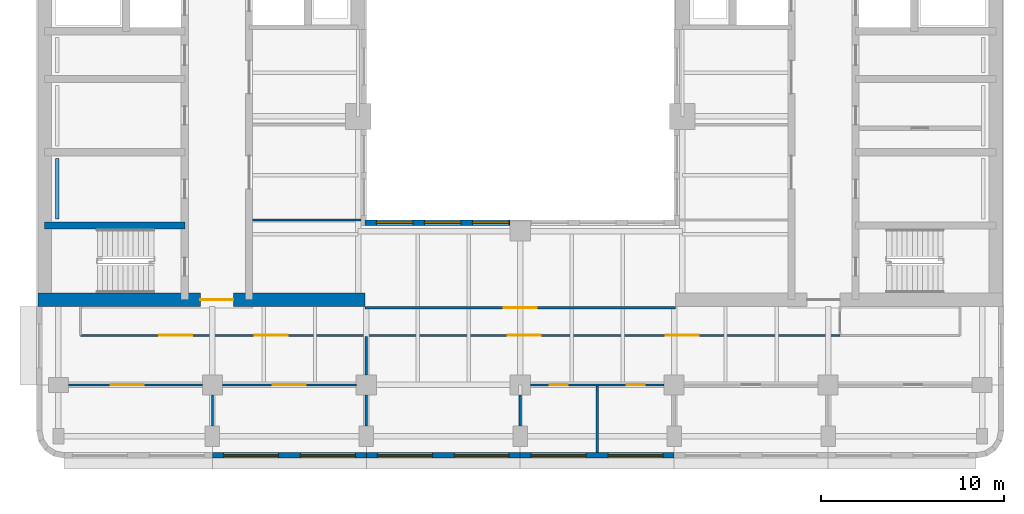
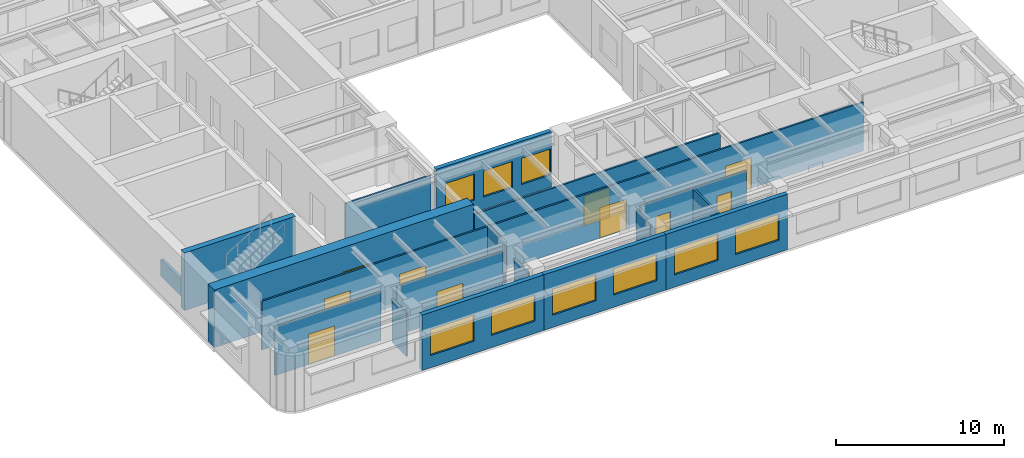
# One storey, part 3 of 11: 18 walls, 10 doors, 9 windows, 19 openings.
"""IFC4 building model written with IfcOpenShell, lengths in metres."""

from ifc_helpers import new_model, si_unit, direction, frame, frame_2d, origin, place, context, subcontext, project, spatial, rectangle, extrude, material, layer, layer_set, type_object, element, fill, save


model = new_model("IFC4")

# Units and contexts
model_context = context("Model", 3, precision=1e-05, world=origin(), true_north=direction((0.0, 1.0)))
body_context = subcontext(model_context, "Body", "Model", "MODEL_VIEW")
ifc_project = project(units=[si_unit("LENGTHUNIT", "METRE"), si_unit("AREAUNIT", "SQUARE_METRE"), si_unit("VOLUMEUNIT", "CUBIC_METRE"), si_unit("PLANEANGLEUNIT", "RADIAN"), si_unit("MASSUNIT", "GRAM", prefix="KILO")], contexts=[model_context])

# Site, building, storey
site_placement = place(None, origin())
site = spatial("IfcSite", under=ifc_project, at=site_placement, CompositionType="ELEMENT")
building_placement = place(site_placement, origin())
building = spatial("IfcBuilding", under=site, at=building_placement, Name="Claustro Exchange Tower", CompositionType="ELEMENT")
storey_placement = place(building_placement, frame((0.0, 0.0, 236.39990234375)))
storey = spatial("IfcBuildingStorey", under=building, at=storey_placement, Name="L54", CompositionType="ELEMENT", Elevation=236.39990234375)

# Wall
ifc_material_1 = material(Name="Laminated glass in aluminium frame", Category="aluminium")
ifc_layer_1 = layer(ifc_material_1, 0.1201171875)
ifc_layer_set_1 = layer_set([ifc_layer_1], Name="Laminated glass in aluminium frame")
wall_type_1 = type_object("IfcWallType", Name="P2 120 glazed partition", PredefinedType="PARTITIONING", material=ifc_layer_set_1)
wall_1_placement = place(storey_placement, frame((10.597900390625, 17.39990234375, 0.0), z_axis=(0.0, 0.0, 1.0), x_axis=(1.0, 0.0, 0.0)))
element("IfcWall", 1, at=wall_1_placement, inside=storey, type_object=wall_type_1, Name="Partition P2 L54", PredefinedType="PARTITIONING", context=body_context, shape_type="SweptSolid", body=[
    extrude(rectangle(XDim=5.904052734375, YDim=0.1201171875, at=frame_2d((2.9521484375, 0.0))), origin(), (0.0, 0.0, 1.0), 3.550048828125),
])

# Wall, opening, door
wall_2_placement = place(storey_placement, frame((0.549072265625, 8.39990234375, 0.0), z_axis=(0.0, 0.0, 1.0), x_axis=(1.0, 0.0, 0.0)))
wall_2 = element("IfcWall", 2, at=wall_2_placement, inside=storey, type_object=wall_type_1, Name="Partition P2 L54", PredefinedType="PARTITIONING", context=body_context, shape_type="SweptSolid", body=[
    extrude(rectangle(XDim=7.302001953125, YDim=0.1201171875, at=frame_2d((3.65087890625, 0.0))), origin(), (0.0, 0.0, 1.0), 3.550048828125),
])
opening_1_placement = place(wall_2_placement, frame((2.301025390625, 0.0, 0.0)))
opening_1 = element("IfcOpeningElement", 3, at=opening_1_placement, cuts=wall_2, Name="Opening D2", PredefinedType="OPENING", context=body_context, shape_type="SweptSolid", body=[
    extrude(rectangle(XDim=1.800048828125, YDim=2.199951171875, at=frame_2d((0.89990234375, 1.10009765625))), frame((0.0, 0.070068359375, 0.0), z_axis=(0.0, -1.0, 0.0), x_axis=(1.0, 0.0, 0.0)), (0.0, 0.0, 1.0), 0.14013671875),
])
ifc_material_2 = material(Name="Timber door, oak veneer", Category="wood")
door_type_1 = type_object("IfcDoorType", Name="D2 1800 x 2200 double door", OperationType="DOUBLE_DOOR_SINGLE_SWING", PredefinedType="DOOR", material=ifc_material_2)
door_1_placement = place(opening_1_placement, frame((1.800048828125, 0.0, 0.0), z_axis=(0.0, 0.0, 1.0), x_axis=(-1.0, 0.0, 0.0)))
door_1 = element("IfcDoor", 4, at=door_1_placement, inside=storey, type_object=door_type_1, Name="Double door D2 L54", OperationType="DOUBLE_DOOR_SINGLE_SWING", OverallHeight=2.199951171875, OverallWidth=1.800048828125, PredefinedType="DOOR", context=body_context, shape_type="SweptSolid", body=[
    extrude(rectangle(XDim=1.800048828125, YDim=2.199951171875, at=frame_2d((0.89990234375, 1.10009765625))), frame((0.0, 0.02490234375, 0.0), z_axis=(0.0, -1.0, 0.0), x_axis=(1.0, 0.0, 0.0)), (0.0, 0.0, 1.0), 0.050048828125),
])
fill(opening_1, door_1)

wall_3_placement = place(storey_placement, frame((8.948974609375, 8.39990234375, 0.0), z_axis=(0.0, 0.0, 1.0), x_axis=(1.0, 0.0, 0.0)))
wall_3 = element("IfcWall", 5, at=wall_3_placement, inside=storey, type_object=wall_type_1, Name="Partition P2 L54", PredefinedType="PARTITIONING", context=body_context, shape_type="SweptSolid", body=[
    extrude(rectangle(XDim=7.302001953125, YDim=0.1201171875, at=frame_2d((3.65087890625, 0.0))), origin(), (0.0, 0.0, 1.0), 3.550048828125),
])
opening_2_placement = place(wall_3_placement, frame((2.7509765625, 0.0, 0.0)))
opening_2 = element("IfcOpeningElement", 6, at=opening_2_placement, cuts=wall_3, Name="Opening D2", PredefinedType="OPENING", context=body_context, shape_type="SweptSolid", body=[
    extrude(rectangle(XDim=1.800048828125, YDim=2.199951171875, at=frame_2d((0.89990234375, 1.10009765625))), frame((0.0, 0.070068359375, 0.0), z_axis=(0.0, -1.0, 0.0), x_axis=(1.0, 0.0, 0.0)), (0.0, 0.0, 1.0), 0.14013671875),
])
door_2_placement = place(opening_2_placement, frame((1.800048828125, 0.0, 0.0), z_axis=(0.0, 0.0, 1.0), x_axis=(-1.0, 0.0, 0.0)))
door_2 = element("IfcDoor", 7, at=door_2_placement, inside=storey, type_object=door_type_1, Name="Double door D2 L54", OperationType="DOUBLE_DOOR_SINGLE_SWING", OverallHeight=2.199951171875, OverallWidth=1.800048828125, PredefinedType="DOOR", context=body_context, shape_type="SweptSolid", body=[
    extrude(rectangle(XDim=1.800048828125, YDim=2.199951171875, at=frame_2d((0.89990234375, 1.10009765625))), frame((0.0, 0.02490234375, 0.0), z_axis=(0.0, -1.0, 0.0), x_axis=(1.0, 0.0, 0.0)), (0.0, 0.0, 1.0), 0.050048828125),
])
fill(opening_2, door_2)

# Walls
for number, where, z_axis, x_axis, name in (
    (8, (8.39990234375, 6.14892578125, 0.0), (0.0, 0.0, 1.0), (0.0, 1.0, 0.0), "Partition P2 L54"),
    (9, (16.800048828125, 6.14892578125, 0.0), (0.0, 0.0, 1.0), (0.0, 1.0, 0.0), "Partition P2 L54"),
):
    element("IfcWall", number, at=place(storey_placement, frame(where, z_axis=z_axis, x_axis=x_axis)), inside=storey, type_object=wall_type_1, Name=name, PredefinedType="PARTITIONING", context=body_context, shape_type="SweptSolid", body=[
        extrude(rectangle(XDim=1.7021484375, YDim=0.1201171875, at=frame_2d((0.85107421875, 0.0))), origin(), (0.0, 0.0, 1.0), 3.150146484375),
    ])

# Wall, openings, doors
wall_4_placement = place(storey_placement, frame((25.7490234375, 8.39990234375, 0.0), z_axis=(0.0, 0.0, 1.0), x_axis=(1.0, 0.0, 0.0)))
wall_4 = element("IfcWall", 10, at=wall_4_placement, inside=storey, type_object=wall_type_1, Name="Partition P2 L54", PredefinedType="PARTITIONING", context=body_context, shape_type="SweptSolid", body=[
    extrude(rectangle(XDim=7.302001953125, YDim=0.1201171875, at=frame_2d((3.65087890625, 0.0))), origin(), (0.0, 0.0, 1.0), 3.550048828125),
])
opening_3_placement = place(wall_4_placement, frame((1.051025390625, 0.0, 0.0)))
opening_3 = element("IfcOpeningElement", 11, at=opening_3_placement, cuts=wall_4, Name="Opening D7", PredefinedType="OPENING", context=body_context, shape_type="SweptSolid", body=[
    extrude(rectangle(XDim=1.0, YDim=2.39990234375, at=frame_2d((0.5, 1.199951171875))), frame((0.0, 0.070068359375, 0.0), z_axis=(0.0, -1.0, 0.0), x_axis=(1.0, 0.0, 0.0)), (0.0, 0.0, 1.0), 0.14013671875),
])
opening_4_placement = place(wall_4_placement, frame((5.2509765625, 0.0, 0.0)))
opening_4 = element("IfcOpeningElement", 12, at=opening_4_placement, cuts=wall_4, Name="Opening D7", PredefinedType="OPENING", context=body_context, shape_type="SweptSolid", body=[
    extrude(rectangle(XDim=1.0, YDim=2.39990234375, at=frame_2d((0.5, 1.199951171875))), frame((0.0, 0.070068359375, 0.0), z_axis=(0.0, -1.0, 0.0), x_axis=(1.0, 0.0, 0.0)), (0.0, 0.0, 1.0), 0.14013671875),
])
ifc_material_3 = material(Name="Glass door in aluminium frame", Category="aluminium")
door_type_2 = type_object("IfcDoorType", Name="D7 1000 x 2400 glazed door", OperationType="SINGLE_SWING_LEFT", PredefinedType="DOOR", material=ifc_material_3)
door_3_placement = place(opening_3_placement, frame((1.0, 0.0, 0.0), z_axis=(0.0, 0.0, 1.0), x_axis=(-1.0, 0.0, 0.0)))
door_3 = element("IfcDoor", 13, at=door_3_placement, inside=storey, type_object=door_type_2, Name="Door D7 L54", OperationType="SINGLE_SWING_RIGHT", OverallHeight=2.39990234375, OverallWidth=1.0, PredefinedType="DOOR", context=body_context, shape_type="SweptSolid", body=[
    extrude(rectangle(XDim=1.0, YDim=2.39990234375, at=frame_2d((0.5, 1.199951171875))), frame((0.0, 0.02490234375, 0.0), z_axis=(0.0, -1.0, 0.0), x_axis=(1.0, 0.0, 0.0)), (0.0, 0.0, 1.0), 0.050048828125),
])
fill(opening_3, door_3)
door_4_placement = place(opening_4_placement, frame((1.0, 0.0, 0.0), z_axis=(0.0, 0.0, 1.0), x_axis=(-1.0, 0.0, 0.0)))
door_4 = element("IfcDoor", 14, at=door_4_placement, inside=storey, type_object=door_type_2, Name="Door D7 L54", OperationType="SINGLE_SWING_RIGHT", OverallHeight=2.39990234375, OverallWidth=1.0, PredefinedType="DOOR", context=body_context, shape_type="SweptSolid", body=[
    extrude(rectangle(XDim=1.0, YDim=2.39990234375, at=frame_2d((0.5, 1.199951171875))), frame((0.0, 0.02490234375, 0.0), z_axis=(0.0, -1.0, 0.0), x_axis=(1.0, 0.0, 0.0)), (0.0, 0.0, 1.0), 0.050048828125),
])
fill(opening_4, door_4)

# Walls
wall_5_placement = place(storey_placement, frame((25.199951171875, 6.14892578125, 0.0), z_axis=(0.0, 0.0, 1.0), x_axis=(0.0, 1.0, 0.0)))
element("IfcWall", 15, at=wall_5_placement, inside=storey, type_object=wall_type_1, Name="Partition P2 L54", PredefinedType="PARTITIONING", context=body_context, shape_type="SweptSolid", body=[
    extrude(rectangle(XDim=1.7021484375, YDim=0.1201171875, at=frame_2d((0.85107421875, 0.0))), origin(), (0.0, 0.0, 1.0), 3.690185546875),
])
wall_6_placement = place(storey_placement, frame((29.39990234375, 4.699951171875, 0.0), z_axis=(0.0, 0.0, 1.0), x_axis=(0.0, 1.0, 0.0)))
element("IfcWall", 16, at=wall_6_placement, inside=storey, type_object=wall_type_1, Name="Partition P2 L54", PredefinedType="PARTITIONING", context=body_context, shape_type="SweptSolid", body=[
    extrude(rectangle(XDim=3.64208984375, YDim=0.1201171875, at=frame_2d((1.821044921875, 0.0))), origin(), (0.0, 0.0, 1.0), 3.550048828125),
])
wall_7_placement = place(storey_placement, frame((16.800048828125, 8.948974609375, 0.0), z_axis=(0.0, 0.0, 1.0), x_axis=(0.0, 1.0, 0.0)))
element("IfcWall", 17, at=wall_7_placement, inside=storey, type_object=wall_type_1, Name="Partition P2 L54", PredefinedType="PARTITIONING", context=body_context, shape_type="SweptSolid", body=[
    extrude(rectangle(XDim=2.093017578125, YDim=0.1201171875, at=frame_2d((1.04638671875, 0.0))), origin(), (0.0, 0.0, 1.0), 3.690185546875),
])

# Wall, openings, doors
wall_8_placement = place(storey_placement, frame((1.199951171875, 11.10009765625, 0.0), z_axis=(0.0, 0.0, 1.0), x_axis=(1.0, 0.0, 0.0)))
wall_8 = element("IfcWall", 18, at=wall_8_placement, inside=storey, type_object=wall_type_1, Name="Partition P2 L54", PredefinedType="PARTITIONING", context=body_context, shape_type="SweptSolid", body=[
    extrude(rectangle(XDim=41.4521484375, YDim=0.1201171875, at=frame_2d((20.72607421875, 0.0))), origin(), (0.0, 0.0, 1.0), 3.550048828125),
])
opening_5_placement = place(wall_8_placement, frame((4.300048828125, 0.0, 0.0)))
opening_5 = element("IfcOpeningElement", 19, at=opening_5_placement, cuts=wall_8, Name="Opening D2", PredefinedType="OPENING", context=body_context, shape_type="SweptSolid", body=[
    extrude(rectangle(XDim=1.800048828125, YDim=2.199951171875, at=frame_2d((0.89990234375, 1.10009765625))), frame((0.0, 0.070068359375, 0.0), z_axis=(0.0, -1.0, 0.0), x_axis=(1.0, 0.0, 0.0)), (0.0, 0.0, 1.0), 0.14013671875),
])
opening_6_placement = place(wall_8_placement, frame((9.5, 0.0, 0.0)))
opening_6 = element("IfcOpeningElement", 20, at=opening_6_placement, cuts=wall_8, Name="Opening D2", PredefinedType="OPENING", context=body_context, shape_type="SweptSolid", body=[
    extrude(rectangle(XDim=1.800048828125, YDim=2.199951171875, at=frame_2d((0.89990234375, 1.10009765625))), frame((0.0, 0.070068359375, 0.0), z_axis=(0.0, -1.0, 0.0), x_axis=(1.0, 0.0, 0.0)), (0.0, 0.0, 1.0), 0.14013671875),
])
opening_7_placement = place(wall_8_placement, frame((23.316650390625, 0.0, 0.0)))
opening_7 = element("IfcOpeningElement", 21, at=opening_7_placement, cuts=wall_8, Name="Opening D2", PredefinedType="OPENING", context=body_context, shape_type="SweptSolid", body=[
    extrude(rectangle(XDim=1.800048828125, YDim=2.199951171875, at=frame_2d((0.89990234375, 1.10009765625))), frame((0.0, 0.070068359375, 0.0), z_axis=(0.0, -1.0, 0.0), x_axis=(1.0, 0.0, 0.0)), (0.0, 0.0, 1.0), 0.14013671875),
])
opening_8_placement = place(wall_8_placement, frame((31.933349609375, 0.0, 0.0)))
opening_8 = element("IfcOpeningElement", 22, at=opening_8_placement, cuts=wall_8, Name="Opening D2", PredefinedType="OPENING", context=body_context, shape_type="SweptSolid", body=[
    extrude(rectangle(XDim=1.800048828125, YDim=2.199951171875, at=frame_2d((0.89990234375, 1.10009765625))), frame((0.0, 0.070068359375, 0.0), z_axis=(0.0, -1.0, 0.0), x_axis=(1.0, 0.0, 0.0)), (0.0, 0.0, 1.0), 0.14013671875),
])
door_5_placement = place(opening_5_placement, frame((1.800048828125, 0.0, 0.0), z_axis=(0.0, 0.0, 1.0), x_axis=(-1.0, 0.0, 0.0)))
door_5 = element("IfcDoor", 23, at=door_5_placement, inside=storey, type_object=door_type_1, Name="Double door D2 L54", OperationType="DOUBLE_DOOR_SINGLE_SWING", OverallHeight=2.199951171875, OverallWidth=1.800048828125, PredefinedType="DOOR", context=body_context, shape_type="SweptSolid", body=[
    extrude(rectangle(XDim=1.800048828125, YDim=2.199951171875, at=frame_2d((0.89990234375, 1.10009765625))), frame((0.0, 0.02490234375, 0.0), z_axis=(0.0, -1.0, 0.0), x_axis=(1.0, 0.0, 0.0)), (0.0, 0.0, 1.0), 0.050048828125),
])
fill(opening_5, door_5)
door_6_placement = place(opening_6_placement, frame((1.800048828125, 0.0, 0.0), z_axis=(0.0, 0.0, 1.0), x_axis=(-1.0, 0.0, 0.0)))
door_6 = element("IfcDoor", 24, at=door_6_placement, inside=storey, type_object=door_type_1, Name="Double door D2 L54", OperationType="DOUBLE_DOOR_SINGLE_SWING", OverallHeight=2.199951171875, OverallWidth=1.800048828125, PredefinedType="DOOR", context=body_context, shape_type="SweptSolid", body=[
    extrude(rectangle(XDim=1.800048828125, YDim=2.199951171875, at=frame_2d((0.89990234375, 1.10009765625))), frame((0.0, 0.02490234375, 0.0), z_axis=(0.0, -1.0, 0.0), x_axis=(1.0, 0.0, 0.0)), (0.0, 0.0, 1.0), 0.050048828125),
])
fill(opening_6, door_6)
door_7_placement = place(opening_7_placement, frame((1.800048828125, 0.0, 0.0), z_axis=(0.0, 0.0, 1.0), x_axis=(-1.0, 0.0, 0.0)))
door_7 = element("IfcDoor", 25, at=door_7_placement, inside=storey, type_object=door_type_1, Name="Double door D2 L54", OperationType="DOUBLE_DOOR_SINGLE_SWING", OverallHeight=2.199951171875, OverallWidth=1.800048828125, PredefinedType="DOOR", context=body_context, shape_type="SweptSolid", body=[
    extrude(rectangle(XDim=1.800048828125, YDim=2.199951171875, at=frame_2d((0.89990234375, 1.10009765625))), frame((0.0, 0.02490234375, 0.0), z_axis=(0.0, -1.0, 0.0), x_axis=(1.0, 0.0, 0.0)), (0.0, 0.0, 1.0), 0.050048828125),
])
fill(opening_7, door_7)
door_8_placement = place(opening_8_placement, frame((1.800048828125, 0.0, 0.0), z_axis=(0.0, 0.0, 1.0), x_axis=(-1.0, 0.0, 0.0)))
door_8 = element("IfcDoor", 26, at=door_8_placement, inside=storey, type_object=door_type_1, Name="Double door D2 L54", OperationType="DOUBLE_DOOR_SINGLE_SWING", OverallHeight=2.199951171875, OverallWidth=1.800048828125, PredefinedType="DOOR", context=body_context, shape_type="SweptSolid", body=[
    extrude(rectangle(XDim=1.800048828125, YDim=2.199951171875, at=frame_2d((0.89990234375, 1.10009765625))), frame((0.0, 0.02490234375, 0.0), z_axis=(0.0, -1.0, 0.0), x_axis=(1.0, 0.0, 0.0)), (0.0, 0.0, 1.0), 0.050048828125),
])
fill(opening_8, door_8)

# Wall, opening, door
wall_9_placement = place(storey_placement, frame((16.72509765625, 12.614990234375, 0.0), z_axis=(0.0, 0.0, 1.0), x_axis=(1.0, 0.0, 0.0)))
wall_9 = element("IfcWall", 27, at=wall_9_placement, inside=storey, type_object=wall_type_1, Name="Partition P2 L54", PredefinedType="PARTITIONING", context=body_context, shape_type="SweptSolid", body=[
    extrude(rectangle(XDim=16.949951171875, YDim=0.1201171875, at=frame_2d((8.47509765625, 0.0))), origin(), (0.0, 0.0, 1.0), 3.550048828125),
])
opening_9_placement = place(wall_9_placement, frame((7.574951171875, 0.0, 0.0)))
opening_9 = element("IfcOpeningElement", 28, at=opening_9_placement, cuts=wall_9, Name="Opening D2", PredefinedType="OPENING", context=body_context, shape_type="SweptSolid", body=[
    extrude(rectangle(XDim=1.800048828125, YDim=2.199951171875, at=frame_2d((0.89990234375, 1.10009765625))), frame((0.0, 0.070068359375, 0.0), z_axis=(0.0, -1.0, 0.0), x_axis=(1.0, 0.0, 0.0)), (0.0, 0.0, 1.0), 0.14013671875),
])
door_9_placement = place(opening_9_placement, origin())
door_9 = element("IfcDoor", 29, at=door_9_placement, inside=storey, type_object=door_type_1, Name="Double door D2 L54", OperationType="DOUBLE_DOOR_SINGLE_SWING", OverallHeight=2.199951171875, OverallWidth=1.800048828125, PredefinedType="DOOR", context=body_context, shape_type="SweptSolid", body=[
    extrude(rectangle(XDim=1.800048828125, YDim=2.199951171875, at=frame_2d((0.89990234375, 1.10009765625))), frame((0.0, 0.02490234375, 0.0), z_axis=(0.0, -1.0, 0.0), x_axis=(1.0, 0.0, 0.0)), (0.0, 0.0, 1.0), 0.050048828125),
])
fill(opening_9, door_9)

# Wall, openings, windows
ifc_material_4 = material(Name="Concrete HA-40 (C40/50), precast, white cement, acid-etched", Category="concrete")
ifc_layer_2 = layer(ifc_material_4, 0.300048828125)
ifc_layer_set_2 = layer_set([ifc_layer_2], Name="Concrete HA-40 (C40/50), precast, white cement, acid-etched")
wall_type_2 = type_object("IfcWallType", Name="PC1 300 precast concrete pier panel", PredefinedType="SOLIDWALL", material=ifc_layer_set_2)
wall_10_placement = place(storey_placement, frame((33.60009765625, 4.550048828125, 0.0), z_axis=(0.0, 0.0, 1.0), x_axis=(-1.0, 0.0, 0.0)))
wall_10 = element("IfcWall", 30, at=wall_10_placement, inside=storey, type_object=wall_type_2, Name="Precast pier panel PC1 L54", PredefinedType="SOLIDWALL", context=body_context, shape_type="SweptSolid", body=[
    extrude(rectangle(XDim=8.400146484375, YDim=0.300048828125, at=frame_2d((4.2001953125, 0.0))), origin(), (0.0, 0.0, 1.0), 4.050048828125),
])
opening_10_placement = place(wall_10_placement, frame((0.60009765625, 0.0, 0.89990234375)))
opening_10 = element("IfcOpeningElement", 31, at=opening_10_placement, cuts=wall_10, Name="Opening W1", PredefinedType="OPENING", context=body_context, shape_type="SweptSolid", body=[
    extrude(rectangle(XDim=3.0, YDim=1.89990234375, at=frame_2d((1.5, 0.949951171875))), frame((0.0, 0.159912109375, 0.0), z_axis=(0.0, -1.0, 0.0), x_axis=(1.0, 0.0, 0.0)), (0.0, 0.0, 1.0), 0.320068359375),
])
opening_11_placement = place(wall_10_placement, frame((4.800048828125, 0.0, 0.89990234375)))
opening_11 = element("IfcOpeningElement", 32, at=opening_11_placement, cuts=wall_10, Name="Opening W1", PredefinedType="OPENING", context=body_context, shape_type="SweptSolid", body=[
    extrude(rectangle(XDim=3.0, YDim=1.89990234375, at=frame_2d((1.5, 0.949951171875))), frame((0.0, 0.159912109375, 0.0), z_axis=(0.0, -1.0, 0.0), x_axis=(1.0, 0.0, 0.0)), (0.0, 0.0, 1.0), 0.320068359375),
])
ifc_material_5 = material(Name="Aluminium frame, clear double glazing", Category="aluminium")
window_type_1 = type_object("IfcWindowType", Name="W1 3000 x 1900 window", PartitioningType="SINGLE_PANEL", PredefinedType="WINDOW", material=ifc_material_5)
window_1_placement = place(opening_10_placement, origin())
window_1 = element("IfcWindow", 33, at=window_1_placement, inside=storey, type_object=window_type_1, Name="Window W1 L54", OverallHeight=1.89990234375, OverallWidth=3.0, PartitioningType="SINGLE_PANEL", PredefinedType="WINDOW", context=body_context, shape_type="SweptSolid", body=[
    extrude(rectangle(XDim=3.0, YDim=1.89990234375, at=frame_2d((1.5, 0.949951171875))), frame((0.0, 0.030029296875, 0.0), z_axis=(0.0, -1.0, 0.0), x_axis=(1.0, 0.0, 0.0)), (0.0, 0.0, 1.0), 0.06005859375),
])
fill(opening_10, window_1)
window_2_placement = place(opening_11_placement, origin())
window_2 = element("IfcWindow", 34, at=window_2_placement, inside=storey, type_object=window_type_1, Name="Window W1 L54", OverallHeight=1.89990234375, OverallWidth=3.0, PartitioningType="SINGLE_PANEL", PredefinedType="WINDOW", context=body_context, shape_type="SweptSolid", body=[
    extrude(rectangle(XDim=3.0, YDim=1.89990234375, at=frame_2d((1.5, 0.949951171875))), frame((0.0, 0.030029296875, 0.0), z_axis=(0.0, -1.0, 0.0), x_axis=(1.0, 0.0, 0.0)), (0.0, 0.0, 1.0), 0.06005859375),
])
fill(opening_11, window_2)

wall_11_placement = place(storey_placement, frame((25.199951171875, 4.550048828125, 0.0), z_axis=(0.0, 0.0, 1.0), x_axis=(-1.0, 0.0, 0.0)))
wall_11 = element("IfcWall", 35, at=wall_11_placement, inside=storey, type_object=wall_type_2, Name="Precast pier panel PC1 L54", PredefinedType="SOLIDWALL", context=body_context, shape_type="SweptSolid", body=[
    extrude(rectangle(XDim=8.39990234375, YDim=0.300048828125, at=frame_2d((4.199951171875, 0.0))), origin(), (0.0, 0.0, 1.0), 4.050048828125),
])
opening_12_placement = place(wall_11_placement, frame((0.60009765625, 0.0, 0.89990234375)))
opening_12 = element("IfcOpeningElement", 36, at=opening_12_placement, cuts=wall_11, Name="Opening W1", PredefinedType="OPENING", context=body_context, shape_type="SweptSolid", body=[
    extrude(rectangle(XDim=3.0, YDim=1.89990234375, at=frame_2d((1.5, 0.949951171875))), frame((0.0, 0.159912109375, 0.0), z_axis=(0.0, -1.0, 0.0), x_axis=(1.0, 0.0, 0.0)), (0.0, 0.0, 1.0), 0.320068359375),
])
opening_13_placement = place(wall_11_placement, frame((4.800048828125, 0.0, 0.89990234375)))
opening_13 = element("IfcOpeningElement", 37, at=opening_13_placement, cuts=wall_11, Name="Opening W1", PredefinedType="OPENING", context=body_context, shape_type="SweptSolid", body=[
    extrude(rectangle(XDim=3.0, YDim=1.89990234375, at=frame_2d((1.5, 0.949951171875))), frame((0.0, 0.159912109375, 0.0), z_axis=(0.0, -1.0, 0.0), x_axis=(1.0, 0.0, 0.0)), (0.0, 0.0, 1.0), 0.320068359375),
])
window_3_placement = place(opening_12_placement, origin())
window_3 = element("IfcWindow", 38, at=window_3_placement, inside=storey, type_object=window_type_1, Name="Window W1 L54", OverallHeight=1.89990234375, OverallWidth=3.0, PartitioningType="SINGLE_PANEL", PredefinedType="WINDOW", context=body_context, shape_type="SweptSolid", body=[
    extrude(rectangle(XDim=3.0, YDim=1.89990234375, at=frame_2d((1.5, 0.949951171875))), frame((0.0, 0.030029296875, 0.0), z_axis=(0.0, -1.0, 0.0), x_axis=(1.0, 0.0, 0.0)), (0.0, 0.0, 1.0), 0.06005859375),
])
fill(opening_12, window_3)
window_4_placement = place(opening_13_placement, origin())
window_4 = element("IfcWindow", 39, at=window_4_placement, inside=storey, type_object=window_type_1, Name="Window W1 L54", OverallHeight=1.89990234375, OverallWidth=3.0, PartitioningType="SINGLE_PANEL", PredefinedType="WINDOW", context=body_context, shape_type="SweptSolid", body=[
    extrude(rectangle(XDim=3.0, YDim=1.89990234375, at=frame_2d((1.5, 0.949951171875))), frame((0.0, 0.030029296875, 0.0), z_axis=(0.0, -1.0, 0.0), x_axis=(1.0, 0.0, 0.0)), (0.0, 0.0, 1.0), 0.06005859375),
])
fill(opening_13, window_4)

wall_12_placement = place(storey_placement, frame((16.800048828125, 4.550048828125, 0.0), z_axis=(0.0, 0.0, 1.0), x_axis=(-1.0, 0.0, 0.0)))
wall_12 = element("IfcWall", 40, at=wall_12_placement, inside=storey, type_object=wall_type_2, Name="Precast pier panel PC1 L54", PredefinedType="SOLIDWALL", context=body_context, shape_type="SweptSolid", body=[
    extrude(rectangle(XDim=8.400146484375, YDim=0.300048828125, at=frame_2d((4.2001953125, 0.0))), origin(), (0.0, 0.0, 1.0), 4.050048828125),
])
opening_14_placement = place(wall_12_placement, frame((0.60009765625, 0.0, 0.89990234375)))
opening_14 = element("IfcOpeningElement", 41, at=opening_14_placement, cuts=wall_12, Name="Opening W1", PredefinedType="OPENING", context=body_context, shape_type="SweptSolid", body=[
    extrude(rectangle(XDim=3.0, YDim=1.89990234375, at=frame_2d((1.5, 0.949951171875))), frame((0.0, 0.159912109375, 0.0), z_axis=(0.0, -1.0, 0.0), x_axis=(1.0, 0.0, 0.0)), (0.0, 0.0, 1.0), 0.320068359375),
])
opening_15_placement = place(wall_12_placement, frame((4.800048828125, 0.0, 0.89990234375)))
opening_15 = element("IfcOpeningElement", 42, at=opening_15_placement, cuts=wall_12, Name="Opening W1", PredefinedType="OPENING", context=body_context, shape_type="SweptSolid", body=[
    extrude(rectangle(XDim=3.0, YDim=1.89990234375, at=frame_2d((1.5, 0.949951171875))), frame((0.0, 0.159912109375, 0.0), z_axis=(0.0, -1.0, 0.0), x_axis=(1.0, 0.0, 0.0)), (0.0, 0.0, 1.0), 0.320068359375),
])
window_5_placement = place(opening_14_placement, origin())
window_5 = element("IfcWindow", 43, at=window_5_placement, inside=storey, type_object=window_type_1, Name="Window W1 L54", OverallHeight=1.89990234375, OverallWidth=3.0, PartitioningType="SINGLE_PANEL", PredefinedType="WINDOW", context=body_context, shape_type="SweptSolid", body=[
    extrude(rectangle(XDim=3.0, YDim=1.89990234375, at=frame_2d((1.5, 0.949951171875))), frame((0.0, 0.030029296875, 0.0), z_axis=(0.0, -1.0, 0.0), x_axis=(1.0, 0.0, 0.0)), (0.0, 0.0, 1.0), 0.06005859375),
])
fill(opening_14, window_5)
window_6_placement = place(opening_15_placement, origin())
window_6 = element("IfcWindow", 44, at=window_6_placement, inside=storey, type_object=window_type_1, Name="Window W1 L54", OverallHeight=1.89990234375, OverallWidth=3.0, PartitioningType="SINGLE_PANEL", PredefinedType="WINDOW", context=body_context, shape_type="SweptSolid", body=[
    extrude(rectangle(XDim=3.0, YDim=1.89990234375, at=frame_2d((1.5, 0.949951171875))), frame((0.0, 0.030029296875, 0.0), z_axis=(0.0, -1.0, 0.0), x_axis=(1.0, 0.0, 0.0)), (0.0, 0.0, 1.0), 0.06005859375),
])
fill(opening_15, window_6)

wall_13_placement = place(storey_placement, frame((16.72509765625, 17.25, 0.0), z_axis=(0.0, 0.0, 1.0), x_axis=(1.0, 0.0, 0.0)))
wall_13 = element("IfcWall", 45, at=wall_13_placement, inside=storey, type_object=wall_type_2, Name="Precast pier panel PC1 L54", PredefinedType="SOLIDWALL", context=body_context, shape_type="SweptSolid", body=[
    extrude(rectangle(XDim=7.9248046875, YDim=0.300048828125, at=frame_2d((3.96240234375, 0.0))), origin(), (0.0, 0.0, 1.0), 4.050048828125),
])
opening_16_placement = place(wall_13_placement, frame((0.61865234375, 0.0, 0.89990234375)))
opening_16 = element("IfcOpeningElement", 46, at=opening_16_placement, cuts=wall_13, Name="Opening W4", PredefinedType="OPENING", context=body_context, shape_type="SweptSolid", body=[
    extrude(rectangle(XDim=2.0, YDim=1.89990234375, at=frame_2d((1.0, 0.949951171875))), frame((0.0, 0.159912109375, 0.0), z_axis=(0.0, -1.0, 0.0), x_axis=(1.0, 0.0, 0.0)), (0.0, 0.0, 1.0), 0.320068359375),
])
opening_17_placement = place(wall_13_placement, frame((3.237548828125, 0.0, 0.89990234375)))
opening_17 = element("IfcOpeningElement", 47, at=opening_17_placement, cuts=wall_13, Name="Opening W4", PredefinedType="OPENING", context=body_context, shape_type="SweptSolid", body=[
    extrude(rectangle(XDim=2.0, YDim=1.89990234375, at=frame_2d((1.0, 0.949951171875))), frame((0.0, 0.159912109375, 0.0), z_axis=(0.0, -1.0, 0.0), x_axis=(1.0, 0.0, 0.0)), (0.0, 0.0, 1.0), 0.320068359375),
])
opening_18_placement = place(wall_13_placement, frame((5.856201171875, 0.0, 0.89990234375)))
opening_18 = element("IfcOpeningElement", 48, at=opening_18_placement, cuts=wall_13, Name="Opening W4", PredefinedType="OPENING", context=body_context, shape_type="SweptSolid", body=[
    extrude(rectangle(XDim=2.0, YDim=1.89990234375, at=frame_2d((1.0, 0.949951171875))), frame((0.0, 0.159912109375, 0.0), z_axis=(0.0, -1.0, 0.0), x_axis=(1.0, 0.0, 0.0)), (0.0, 0.0, 1.0), 0.320068359375),
])
ifc_material_6 = material(Name="Aluminium frame, clear double glazing", Category="aluminium")
window_type_2 = type_object("IfcWindowType", Name="W4 2000 x 1900 light well window", PartitioningType="SINGLE_PANEL", PredefinedType="WINDOW", material=ifc_material_6)
window_7_placement = place(opening_16_placement, origin())
window_7 = element("IfcWindow", 49, at=window_7_placement, inside=storey, type_object=window_type_2, Name="Window W4 L54", OverallHeight=1.89990234375, OverallWidth=2.0, PartitioningType="SINGLE_PANEL", PredefinedType="WINDOW", context=body_context, shape_type="SweptSolid", body=[
    extrude(rectangle(XDim=2.0, YDim=1.89990234375, at=frame_2d((1.0, 0.949951171875))), frame((0.0, 0.030029296875, 0.0), z_axis=(0.0, -1.0, 0.0), x_axis=(1.0, 0.0, 0.0)), (0.0, 0.0, 1.0), 0.06005859375),
])
fill(opening_16, window_7)
window_8_placement = place(opening_17_placement, origin())
window_8 = element("IfcWindow", 50, at=window_8_placement, inside=storey, type_object=window_type_2, Name="Window W4 L54", OverallHeight=1.89990234375, OverallWidth=2.0, PartitioningType="SINGLE_PANEL", PredefinedType="WINDOW", context=body_context, shape_type="SweptSolid", body=[
    extrude(rectangle(XDim=2.0, YDim=1.89990234375, at=frame_2d((1.0, 0.949951171875))), frame((0.0, 0.030029296875, 0.0), z_axis=(0.0, -1.0, 0.0), x_axis=(1.0, 0.0, 0.0)), (0.0, 0.0, 1.0), 0.06005859375),
])
fill(opening_17, window_8)
window_9_placement = place(opening_18_placement, origin())
window_9 = element("IfcWindow", 51, at=window_9_placement, inside=storey, type_object=window_type_2, Name="Window W4 L54", OverallHeight=1.89990234375, OverallWidth=2.0, PartitioningType="SINGLE_PANEL", PredefinedType="WINDOW", context=body_context, shape_type="SweptSolid", body=[
    extrude(rectangle(XDim=2.0, YDim=1.89990234375, at=frame_2d((1.0, 0.949951171875))), frame((0.0, 0.030029296875, 0.0), z_axis=(0.0, -1.0, 0.0), x_axis=(1.0, 0.0, 0.0)), (0.0, 0.0, 1.0), 0.06005859375),
])
fill(opening_18, window_9)

# Wall
ifc_material_7 = material(Name="Gypsum board on steel studs, tiled", Category="steel")
ifc_layer_3 = layer(ifc_material_7, 0.199951171875)
ifc_layer_set_3 = layer_set([ifc_layer_3], Name="Gypsum board on steel studs, tiled")
wall_type_3 = type_object("IfcWallType", Name="PW1 200 WC duct wall", PredefinedType="PLUMBINGWALL", material=ifc_layer_set_3)
wall_14_placement = place(storey_placement, frame((-0.074951171875, 17.449951171875, 0.0), z_axis=(0.0, 0.0, 1.0), x_axis=(0.0, 1.0, 0.0)))
element("IfcWall", 52, at=wall_14_placement, inside=storey, type_object=wall_type_3, Name="WC duct wall PW1 L54", PredefinedType="PLUMBINGWALL", context=body_context, shape_type="SweptSolid", body=[
    extrude(rectangle(XDim=3.300048828125, YDim=0.199951171875, at=frame_2d((1.64990234375, 0.0))), origin(), (0.0, 0.0, 1.0), 1.2001953125),
])

# Wall, opening, door
ifc_material_8 = material(Name="Concrete HA-70 (C70/85)", Category="concrete")
ifc_layer_4 = layer(ifc_material_8, 0.75)
ifc_layer_set_4 = layer_set([ifc_layer_4], Name="Concrete HA-70 (C70/85)")
wall_type_4 = type_object("IfcWallType", Name="SW2 750 core shear wall", PredefinedType="SHEAR", material=ifc_layer_set_4)
wall_15_placement = place(storey_placement, frame((-1.125, 13.050048828125, 0.0), z_axis=(0.0, 0.0, 1.0), x_axis=(1.0, 0.0, 0.0)))
wall_15 = element("IfcWall", 53, at=wall_15_placement, inside=storey, type_object=wall_type_4, Name="Core wall SW2 W core S face L54", PredefinedType="SHEAR", context=body_context, shape_type="SweptSolid", body=[
    extrude(rectangle(XDim=17.85009765625, YDim=0.75, at=frame_2d((8.925048828125, 0.0))), origin(), (0.0, 0.0, 1.0), 4.2001953125),
])
opening_19_placement = place(wall_15_placement, frame((8.875, 0.0, 0.0)))
opening_19 = element("IfcOpeningElement", 54, at=opening_19_placement, cuts=wall_15, Name="Opening D3", PredefinedType="OPENING", context=body_context, shape_type="SweptSolid", body=[
    extrude(rectangle(XDim=1.800048828125, YDim=2.39990234375, at=frame_2d((0.89990234375, 1.199951171875))), frame((0.0, 0.385009765625, 0.0), z_axis=(0.0, -1.0, 0.0), x_axis=(1.0, 0.0, 0.0)), (0.0, 0.0, 1.0), 0.77001953125),
])
ifc_material_9 = material(Name="Steel fire door, painted", Category="steel")
door_type_3 = type_object("IfcDoorType", Name="D3 1800 x 2400 fire-rated lobby double door", OperationType="DOUBLE_DOOR_SINGLE_SWING", PredefinedType="DOOR", material=ifc_material_9)
door_10_placement = place(opening_19_placement, origin())
door_10 = element("IfcDoor", 55, at=door_10_placement, inside=storey, type_object=door_type_3, Name="Lift lobby door D3 L54", OperationType="DOUBLE_DOOR_SINGLE_SWING", OverallHeight=2.39990234375, OverallWidth=1.800048828125, PredefinedType="DOOR", context=body_context, shape_type="SweptSolid", body=[
    extrude(rectangle(XDim=1.800048828125, YDim=2.39990234375, at=frame_2d((0.89990234375, 1.199951171875))), frame((0.0, 0.02490234375, 0.0), z_axis=(0.0, -1.0, 0.0), x_axis=(1.0, 0.0, 0.0)), (0.0, 0.0, 1.0), 0.050048828125),
])
fill(opening_19, door_10)

# Wall
ifc_material_10 = material(Name="Concrete HA-50 (C50/60)", Category="concrete")
ifc_layer_5 = layer(ifc_material_10, 0.39990234375)
ifc_layer_set_5 = layer_set([ifc_layer_5], Name="Concrete HA-50 (C50/60)")
wall_type_5 = type_object("IfcWallType", Name="SW4 400 internal core wall", PredefinedType="SHEAR", material=ifc_layer_set_5)
wall_16_placement = place(storey_placement, frame((-0.75, 17.10009765625, 0.0), z_axis=(0.0, 0.0, 1.0), x_axis=(1.0, 0.0, 0.0)))
element("IfcWall", 56, at=wall_16_placement, inside=storey, type_object=wall_type_5, Name="Internal core wall SW4 W core L54", PredefinedType="SHEAR", context=body_context, shape_type="SweptSolid", body=[
    extrude(rectangle(XDim=7.64990234375, YDim=0.39990234375, at=frame_2d((3.824951171875, 0.0))), origin(), (0.0, 0.0, 1.0), 4.2001953125),
])

save(model, "model.ifc")
